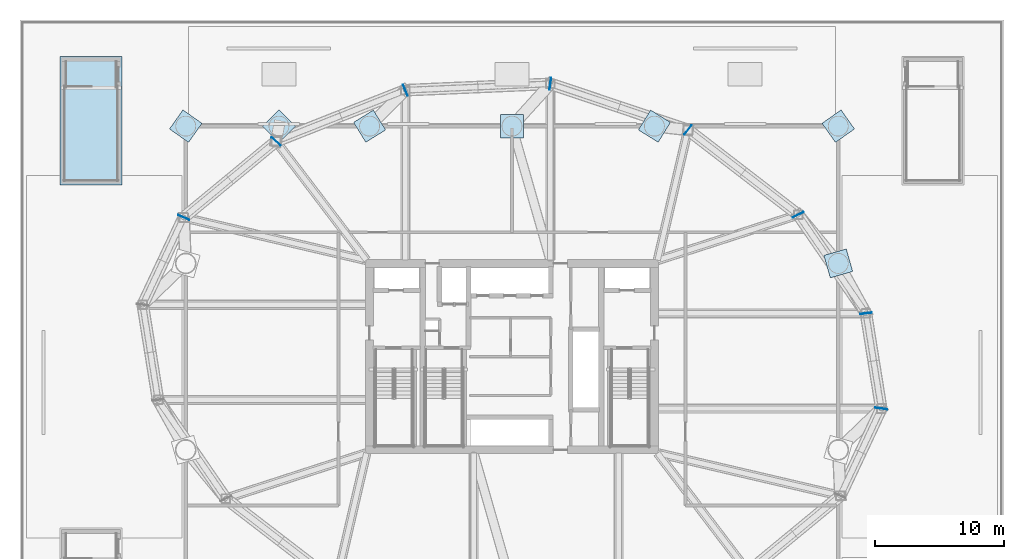
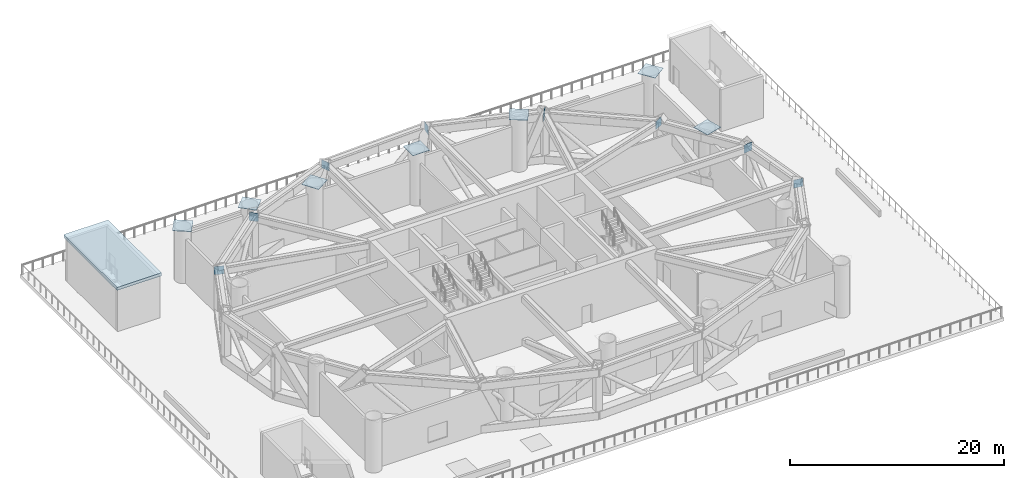
# One storey, part 6 of 14: 15 plates, 1 slab.
"""IFC4 building model written with IfcOpenShell, lengths in metres."""

from ifc_helpers import new_model, si_unit, direction, frame, origin, origin_2d, place, context, subcontext, project, spatial, polyline, rectangle, outline, extrude, material, layer, layer_set, type_object, element, save


model = new_model("IFC4")

# Units and contexts
model_context = context("Model", 3, precision=1e-05, world=origin(), true_north=direction((0.0, 1.0)))
body_context = subcontext(model_context, "Body", "Model", "MODEL_VIEW")
ifc_project = project(units=[si_unit("LENGTHUNIT", "METRE"), si_unit("AREAUNIT", "SQUARE_METRE"), si_unit("VOLUMEUNIT", "CUBIC_METRE"), si_unit("PLANEANGLEUNIT", "RADIAN"), si_unit("MASSUNIT", "GRAM", prefix="KILO")], contexts=[model_context])

# Site, building, storey
site_placement = place(None, origin())
site = spatial("IfcSite", under=ifc_project, at=site_placement, CompositionType="ELEMENT")
building_placement = place(site_placement, origin())
building = spatial("IfcBuilding", under=site, at=building_placement, Name="Bramvorn Convention Spire", CompositionType="ELEMENT")
storey_placement = place(building_placement, frame((0.0, 0.0, 35.39990234375)))
storey = spatial("IfcBuildingStorey", under=building, at=storey_placement, Name="L06", CompositionType="ELEMENT", Elevation=35.39990234375)

# Plates
ifc_material_1 = material(Name="Steel CSA G40.21 Grade 350 (350W)", Category="steel")
ifc_layer_1 = layer(ifc_material_1, 0.044921875)
ifc_layer_set_1 = layer_set([ifc_layer_1], Name="Steel CSA G40.21 Grade 350 (350W) - PLT-NODE-CAP-45")
plate_type_1 = type_object("IfcPlateType", Name="PLT-NODE-CAP-45", PredefinedType="SHEET", material=ifc_layer_set_1)
for number, where, z_axis, x_axis, name in (
    (1, (63.199951171875, 33.199951171875, 6.000244140625), (0.0, 0.0, 1.0), (0.96152394764, 0.274721127899, 0.0), "L06 CFT mega-column PR08 welded end-cap plate"),
    (2, (12.800048828125, 43.800048828125, 6.000244140625), (0.0, 0.0, 1.0), (-0.816788171545, 0.576937676724, 0.0), "L06 CFT mega-column PR09 welded end-cap plate"),
    (3, (20.0, 43.800048828125, 6.000244140625), (0.0, 0.0, 1.0), (-0.711046002612, 0.703145491466, 0.0), "L06 CFT mega-column PR15 welded end-cap plate"),
    (4, (27.0, 43.800048828125, 6.000244140625), (0.0, 0.0, 1.0), (-0.525696357193, 0.850672287097, 0.0), "L06 CFT mega-column PR10 welded end-cap plate"),
    (5, (38.0, 43.800048828125, 6.000244140625), (0.0, 0.0, 1.0), (0.0, 1.0, 0.0), "L06 CFT mega-column PR14 welded end-cap plate"),
    (6, (49.0, 43.800048828125, 6.000244140625), (0.0, 0.0, 1.0), (0.525696357193, 0.850672287097, 0.0), "L06 CFT mega-column PR11 welded end-cap plate"),
    (7, (63.199951171875, 43.800048828125, 6.000244140625), (0.0, 0.0, 1.0), (0.816788171545, 0.576937676724, 0.0), "L06 CFT mega-column PR12 welded end-cap plate"),
):
    element("IfcPlate", number, at=place(storey_placement, frame(where, z_axis=z_axis, x_axis=x_axis)), inside=storey, type_object=plate_type_1, Name=name, PredefinedType="SHEET", context=body_context, shape_type="SweptSolid", body=[
        extrude(rectangle(XDim=1.800048828125, YDim=1.800048828125, at=origin_2d()), origin(), (0.0, 0.0, 1.0), 0.044921875),
    ])
ifc_layer_2 = layer(ifc_material_1, 0.044921875)
ifc_layer_set_2 = layer_set([ifc_layer_2], Name="Steel CSA G40.21 Grade 350 (350W) - PLT-TRUSS-CAP-45")
plate_type_2 = type_object("IfcPlateType", Name="PLT-TRUSS-CAP-45", PredefinedType="SHEET", material=ifc_layer_set_2)
for number, where, z_axis, x_axis, name in (
    (8, (66.519775390625, 21.99169921875, 4.840087890625), (0.0, 0.0, 1.0), (0.990267984726, -0.13917369876, 0.0), "Truss node TN-01 closed end-cap plate"),
    (9, (65.338623046875, 29.340087890625, 4.840087890625), (0.0, 0.0, 1.0), (0.9926191329, 0.121273480201, 0.0), "Truss node TN-02 closed end-cap plate"),
    (10, (60.105224609375, 36.960205078125, 4.840087890625), (0.0, 0.0, 1.0), (0.895920156137, 0.444215121115, 0.0), "Truss node TN-03 closed end-cap plate"),
    (11, (51.59033203125, 43.509033203125, 4.840087890625), (0.0, 0.0, 1.0), (0.613158497897, 0.789959908133, 0.0), "Truss node TN-04 closed end-cap plate"),
    (12, (40.9609375, 47.06884765625, 4.840087890625), (0.0, 0.0, 1.0), (0.139171220798, 0.990268332979, 0.0), "Truss node TN-05 closed end-cap plate"),
    (13, (29.76220703125, 46.57666015625, 4.840087890625), (0.0, 0.0, 1.0), (-0.371663698417, 0.92836743549, 0.0), "Truss node TN-06 closed end-cap plate"),
    (14, (19.772216796875, 42.628662109375, 4.840087890625), (0.0, 0.0, 1.0), (-0.738769458878, 0.673958223208, 0.0), "Truss node TN-07 closed end-cap plate"),
    (15, (12.64111328125, 36.746337890625, 4.840087890625), (0.0, 0.0, 1.0), (-0.920738632898, 0.390179919894, 0.0), "Truss node TN-08 closed end-cap plate"),
):
    element("IfcPlate", number, at=place(storey_placement, frame(where, z_axis=z_axis, x_axis=x_axis)), inside=storey, type_object=plate_type_2, Name=name, PredefinedType="SHEET", context=body_context, shape_type="SweptSolid", body=[
        extrude(rectangle(XDim=0.919921875, YDim=0.044921875, at=origin_2d()), origin(), (0.0, 0.0, 1.0), 0.919921875),
    ])

# Slab
ifc_material_2 = material(Name="Concrete C50/60", Category="concrete")
ifc_layer_3 = layer(ifc_material_2, 0.35009765625)
ifc_layer_set_3 = layer_set([ifc_layer_3], Name="Concrete C50/60 - SLB-PLT-350")
slab_type = type_object("IfcSlabType", Name="SLB-PLT-350", PredefinedType="FLOOR", material=ifc_layer_set_3)
slab_placement = place(storey_placement, frame((0.0, 0.0, 4.800048828125)))
element("IfcSlab", 16, at=slab_placement, inside=storey, type_object=slab_type, Name="L06 ST6 garden stair headhouse roof", PredefinedType="FLOOR", context=body_context, shape_type="SweptSolid", body=[
    extrude(outline(polyline([(3.10009765625, 39.25), (7.8798828125, 39.25), (7.8798828125, 49.199951171875), (3.10009765625, 49.199951171875), (3.10009765625, 39.25)])), origin(), (0.0, 0.0, 1.0), 0.35009765625),
])

save(model, "model.ifc")
